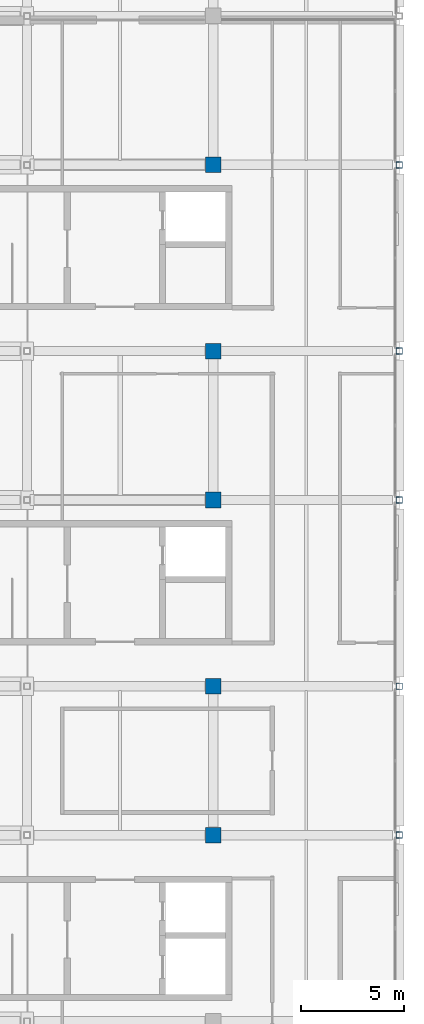
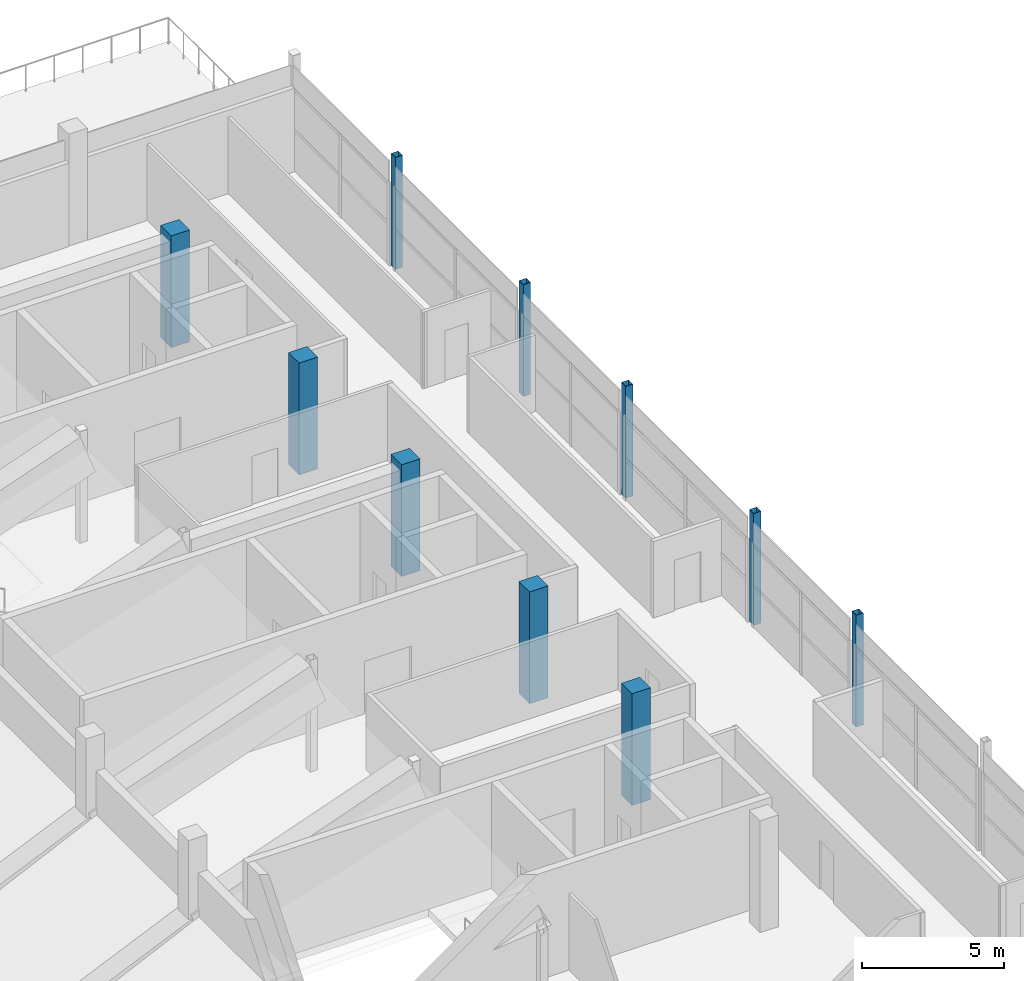
# One storey, part 14 of 66: 10 columns.
"""IFC4 building model written with IfcOpenShell, lengths in metres."""

import ifcopenshell
import ifcopenshell.guid

model = None  # the IFC model being written
_history = None  # IfcOwnerHistory: only IFC2X3 demands one
_inside = {}  # id of a spatial element -> (the spatial element, [elements in it])
_under = {}  # id of a project, library or spatial element -> (it, [spatial elements below it])
_declared = {}  # id of a project -> (the project, [libraries it declares])
_typed = {}  # id of a type object -> (the type object, [elements of that type])
_made_of = {}  # id of a material, layer set ... -> (it, [elements and type objects made of it])


def new_model(schema):
    """Start an empty IFC model of exactly this schema.

    Asked for "IFC4X3", IfcOpenShell would pick the latest addendum, in which some entities
    have other attributes; the version numbers below select the first issue.
    IFC2X3 requires an IfcOwnerHistory on every rooted entity: one is made here for all.
    """
    global model, _history
    if schema == "IFC4X3":
        model = ifcopenshell.file(schema_version=(4, 3, 0, 0))
    else:
        model = ifcopenshell.file(schema=schema)
    _inside.clear()
    _under.clear()
    _declared.clear()
    _typed.clear()
    _made_of.clear()
    _history = None
    if model.schema == "IFC2X3":
        org = make("IfcOrganization", Name="unknown")
        user = make(
            "IfcPersonAndOrganization",
            ThePerson=make("IfcPerson", FamilyName="unknown"),
            TheOrganization=org,
        )
        app = make(
            "IfcApplication",
            ApplicationDeveloper=org,
            Version="unknown",
            ApplicationFullName="unknown",
            ApplicationIdentifier="unknown",
        )
        _history = make(
            "IfcOwnerHistory",
            OwningUser=user,
            OwningApplication=app,
            ChangeAction="ADDED",
            CreationDate=0,
        )
    return model


def make(cls, **values):
    """One entity of the class cls with the attributes given. An attribute that is None is left unset."""
    return model.create_entity(
        cls, **{name: value for name, value in values.items() if value is not None}
    )


def rooted(cls, **values):
    """An entity with a GlobalId (a new one), such as an element, a storey or a relation."""
    return make(cls, GlobalId=ifcopenshell.guid.new(), OwnerHistory=_history, **values)


def si_unit(unit_type, name, prefix=None):
    """IfcSIUnit, for example si_unit("LENGTHUNIT", "METRE", prefix="MILLI")."""
    return make("IfcSIUnit", UnitType=unit_type, Prefix=prefix, Name=name)


def assignment(units):
    """IfcUnitAssignment: the units of a project."""
    return None if units is None else make("IfcUnitAssignment", Units=units)


def point(xyz):
    """IfcCartesianPoint."""
    return None if xyz is None else make("IfcCartesianPoint", Coordinates=xyz)


def direction(xyz):
    """IfcDirection."""
    return None if xyz is None else make("IfcDirection", DirectionRatios=xyz)


def frame(location, z_axis=None, x_axis=None):
    """IfcAxis2Placement3D, a coordinate frame: its origin and axes. An axis left out is left unset."""
    return make(
        "IfcAxis2Placement3D",
        Location=point(location),
        Axis=direction(z_axis),
        RefDirection=direction(x_axis),
    )


def frame_2d(location, x_axis=None):
    """IfcAxis2Placement2D, a coordinate frame in the plane: its origin and x axis."""
    return make(
        "IfcAxis2Placement2D", Location=point(location), RefDirection=direction(x_axis)
    )


def origin():
    """The frame at (0, 0, 0) with its axes left unset."""
    return frame((0.0, 0.0, 0.0))


def origin_2d():
    """The frame at (0, 0) in the plane with its x axis left unset."""
    return frame_2d((0.0, 0.0))


def place(relative_to, where):
    """IfcLocalPlacement: puts the frame where relative to a parent placement (None: the world)."""
    return make(
        "IfcLocalPlacement", PlacementRelTo=relative_to, RelativePlacement=where
    )


def context(
    kind, dimensions, precision=None, world=None, true_north=None, identifier=None
):
    """IfcGeometricRepresentationContext, for example the 3D "Model" context."""
    return make(
        "IfcGeometricRepresentationContext",
        ContextIdentifier=identifier,
        ContextType=kind,
        CoordinateSpaceDimension=dimensions,
        Precision=precision,
        WorldCoordinateSystem=world,
        TrueNorth=true_north,
    )


def subcontext(parent, identifier, kind, view, scale=None):
    """IfcGeometricRepresentationSubContext, for example "Body" below "Model"."""
    return make(
        "IfcGeometricRepresentationSubContext",
        ContextIdentifier=identifier,
        ContextType=kind,
        ParentContext=parent,
        TargetScale=scale,
        TargetView=view,
    )


def project(units=None, contexts=None):
    """IfcProject with its units and contexts."""
    return rooted(
        "IfcProject",
        Name="project",
        RepresentationContexts=contexts,
        UnitsInContext=assignment(units),
    )


def spatial(cls, under=None, at=None, **own):
    """A site, building, storey or space (cls), placed at a placement, below another one or the project."""
    s = rooted(cls, ObjectPlacement=at, **own)
    if under is not None:
        _under.setdefault(under.id(), (under, []))[1].append(s)
    return s


def profile(cls, at=None, kind="AREA", **sizes):
    """A parametric profile (cls). Its sizes go by their IFC names, for example OverallWidth=200.0."""
    return make(cls, ProfileType=kind, Position=at, **sizes)


def rectangle(**sizes):
    """IfcRectangleProfileDef."""
    return profile("IfcRectangleProfileDef", **sizes)


def hollow_rectangle(**sizes):
    """IfcRectangleHollowProfileDef."""
    return profile("IfcRectangleHollowProfileDef", **sizes)


def extrude(swept, where, along, depth):
    """IfcExtrudedAreaSolid: the profile swept, set in the frame where, extruded along a direction by depth."""
    return make(
        "IfcExtrudedAreaSolid",
        SweptArea=swept,
        Position=where,
        ExtrudedDirection=direction(along),
        Depth=depth,
    )


def shape(context_of_items, identifier, shape_type, items):
    """IfcShapeRepresentation: the items that make up one representation, for example the "Body"."""
    return make(
        "IfcShapeRepresentation",
        ContextOfItems=context_of_items,
        RepresentationIdentifier=identifier,
        RepresentationType=shape_type,
        Items=items,
    )


def material(Name=None, Category=None):
    """IfcMaterial."""
    return make("IfcMaterial", Name=Name, Category=Category)


def material_profile(
    of_material, cross_section, Name=None, Category=None, Priority=None
):
    """IfcMaterialProfile: a cross section and its material."""
    return make(
        "IfcMaterialProfile",
        Name=Name,
        Material=of_material,
        Profile=cross_section,
        Priority=Priority,
        Category=Category,
    )


def profile_set(profiles, Name=None, composite=None):
    """IfcMaterialProfileSet."""
    return make(
        "IfcMaterialProfileSet",
        Name=Name,
        MaterialProfiles=profiles,
        CompositeProfile=composite,
    )


def made_of(thing, what):
    """Note that an element or type object is made of a material, layer set ...; save() writes the relation."""
    if what is not None:
        _made_of.setdefault(what.id(), (what, []))[1].append(thing)
    return thing


def type_object(cls, material=None, **own):
    """A type object (cls), such as IfcWallType, which elements share."""
    return made_of(rooted(cls, **own), material)


def element(
    cls,
    number,
    at=None,
    inside=None,
    cuts=None,
    type_object=None,
    material=None,
    context=None,
    identifier="Body",
    shape_type=None,
    held_by="IfcProductDefinitionShape",
    body=None,
    shapes=None,
    **own,
):
    """One element of the class cls, such as IfcWall. Its Tag is "e" and its number.

    at: its placement. inside: the storey or other place that contains it. cuts: it is an
    opening in that element (IfcRelVoidsElement). A single representation is given by context,
    identifier, shape_type and body (its items); several are given by shapes. held_by: the class
    of the entity that holds the representations. save() writes the other relations.
    """
    e = rooted(cls, Tag="e%d" % number, ObjectPlacement=at, **own)
    if body is not None:
        shapes = [shape(context, identifier, shape_type, body)]
    if shapes is not None:
        e.Representation = make(held_by, Representations=shapes)
    if inside is not None:
        _inside.setdefault(inside.id(), (inside, []))[1].append(e)
    if cuts is not None:
        rooted(
            "IfcRelVoidsElement", RelatingBuildingElement=cuts, RelatedOpeningElement=e
        )
    if type_object is not None:
        _typed.setdefault(type_object.id(), (type_object, []))[1].append(e)
    return made_of(e, material)


def aggregate(whole, parts):
    """IfcRelAggregates: a whole, such as a stair, and the parts it consists of."""
    return rooted("IfcRelAggregates", RelatingObject=whole, RelatedObjects=parts)


def save(model, path):
    """Write the relations noted so far, then the file.

    IfcRelAggregates (storeys below a building ...), IfcRelContainedInSpatialStructure (elements
    in a storey), IfcRelDefinesByType, IfcRelAssociatesMaterial and IfcRelDeclares: one each for
    every whole, place, type object, material and project.
    """
    for whole, parts in _under.values():
        aggregate(whole, parts)
    for where, things in _inside.values():
        rooted(
            "IfcRelContainedInSpatialStructure",
            RelatedElements=things,
            RelatingStructure=where,
        )
    for kind, things in _typed.values():
        rooted("IfcRelDefinesByType", RelatedObjects=things, RelatingType=kind)
    for what, things in _made_of.values():
        rooted("IfcRelAssociatesMaterial", RelatedObjects=things, RelatingMaterial=what)
    for by, libraries in _declared.values():
        rooted("IfcRelDeclares", RelatingContext=by, RelatedDefinitions=libraries)
    model.write(path)


model = new_model("IFC4")

# Units and contexts
model_context = context("Model", 3, precision=1e-05, world=origin(), true_north=direction((0.0, 1.0)))
body_context = subcontext(model_context, "Body", "Model", "MODEL_VIEW")
ifc_project = project(units=[si_unit("LENGTHUNIT", "METRE"), si_unit("AREAUNIT", "SQUARE_METRE"), si_unit("VOLUMEUNIT", "CUBIC_METRE"), si_unit("PLANEANGLEUNIT", "RADIAN"), si_unit("MASSUNIT", "GRAM", prefix="KILO"), si_unit("THERMODYNAMICTEMPERATUREUNIT", "KELVIN"), si_unit("POWERUNIT", "WATT")], contexts=[model_context])

# Site, building, storey
site_placement = place(None, origin())
site = spatial("IfcSite", under=ifc_project, at=site_placement, CompositionType="ELEMENT")
building_placement = place(site_placement, origin())
building = spatial("IfcBuilding", under=site, at=building_placement, Name="Sindhuravela Promenade Stadium", CompositionType="ELEMENT")
storey_placement = place(building_placement, frame((0.0, 0.0, 19.199951171875)))
storey = spatial("IfcBuildingStorey", under=building, at=storey_placement, Name="L04", CompositionType="ELEMENT", Elevation=19.199951171875)

# Columns
ifc_material_1 = material(Name="Concrete M40", Category="concrete")
ifc_material_profile_1 = material_profile(ifc_material_1, rectangle(XDim=0.75, YDim=0.75, at=origin_2d()), Name="RC 750x750")
ifc_profile_set_1 = profile_set([ifc_material_profile_1], Name="Concrete M40")
column_type_1 = type_object("IfcColumnType", Name="RC-CL-750x750", PredefinedType="COLUMN", material=ifc_profile_set_1)
for number, where, z_axis, x_axis, name in (
    (1, (198.0, 77.39990234375, 0.0), (0.0, 0.0, 1.0), (1.0, 0.0, 0.0), "Column C12 EAST L04"),
    (2, (198.0, 84.60009765625, 0.0), (0.0, 0.0, 1.0), (1.0, 0.0, 0.0), "Column C12 EAST L04"),
    (3, (198.0, 93.60009765625, 0.0), (0.0, 0.0, 1.0), (1.0, 0.0, 0.0), "Column C12 EAST L04"),
    (4, (198.0, 100.800048828125, 0.0), (0.0, 0.0, 1.0), (1.0, 0.0, 0.0), "Column C12 EAST L04"),
    (5, (198.0, 109.800048828125, 0.0), (0.0, 0.0, 1.0), (1.0, 0.0, 0.0), "Column C12 EAST L04"),
):
    element("IfcColumn", number, at=place(storey_placement, frame(where, z_axis=z_axis, x_axis=x_axis)), inside=storey, type_object=column_type_1, Name=name, PredefinedType="COLUMN", context=body_context, shape_type="SweptSolid", body=[
        extrude(rectangle(XDim=0.75, YDim=0.75, at=origin_2d()), origin(), (0.0, 0.0, 1.0), 4.800048828125),
    ])
ifc_material_2 = material(Name="Steel E350 (IS 2062 E350BR)", Category="steel")
ifc_material_profile_2 = material_profile(ifc_material_2, hollow_rectangle(XDim=0.300048828125, YDim=0.300048828125, WallThickness=0.011962890625, at=origin_2d()), Name="SHS 300x300x12")
ifc_profile_set_2 = profile_set([ifc_material_profile_2], Name="Steel E350 (IS 2062 E350BR)")
column_type_2 = type_object("IfcColumnType", Name="ST-CL-SHS300", PredefinedType="COLUMN", material=ifc_profile_set_2)
for number, where, z_axis, x_axis, name in (
    (6, (207.0, 77.39990234375, 0.0), (0.0, 0.0, 1.0), (1.0, 0.0, 0.0), "Column SC04 EAST L04"),
    (7, (207.0, 84.60009765625, 0.0), (0.0, 0.0, 1.0), (1.0, 0.0, 0.0), "Column SC04 EAST L04"),
    (8, (207.0, 93.60009765625, 0.0), (0.0, 0.0, 1.0), (1.0, 0.0, 0.0), "Column SC04 EAST L04"),
    (9, (207.0, 100.800048828125, 0.0), (0.0, 0.0, 1.0), (1.0, 0.0, 0.0), "Column SC04 EAST L04"),
    (10, (207.0, 109.800048828125, 0.0), (0.0, 0.0, 1.0), (1.0, 0.0, 0.0), "Column SC04 EAST L04"),
):
    element("IfcColumn", number, at=place(storey_placement, frame(where, z_axis=z_axis, x_axis=x_axis)), inside=storey, type_object=column_type_2, Name=name, PredefinedType="COLUMN", context=body_context, shape_type="SweptSolid", body=[
        extrude(hollow_rectangle(XDim=0.300048828125, YDim=0.300048828125, WallThickness=0.011962890625, at=origin_2d()), origin(), (0.0, 0.0, 1.0), 4.800048828125),
    ])

save(model, "model.ifc")
